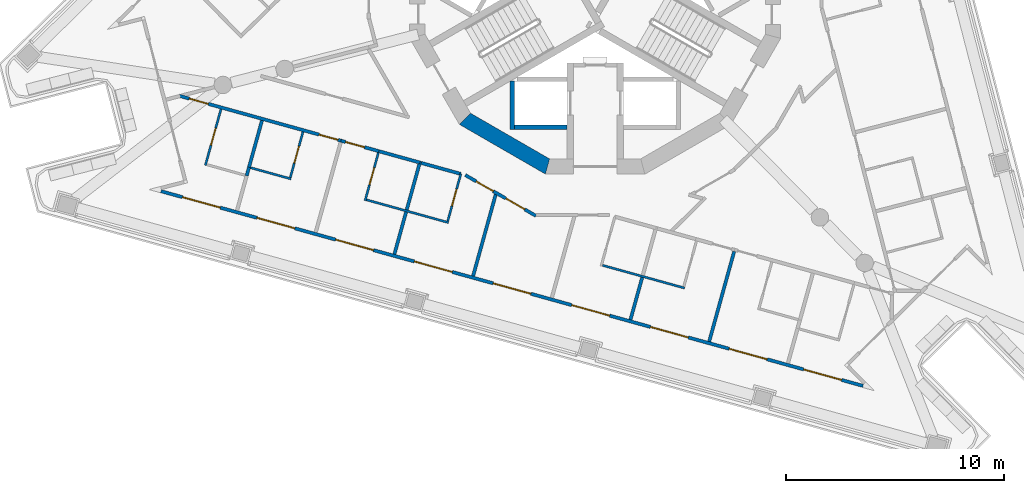
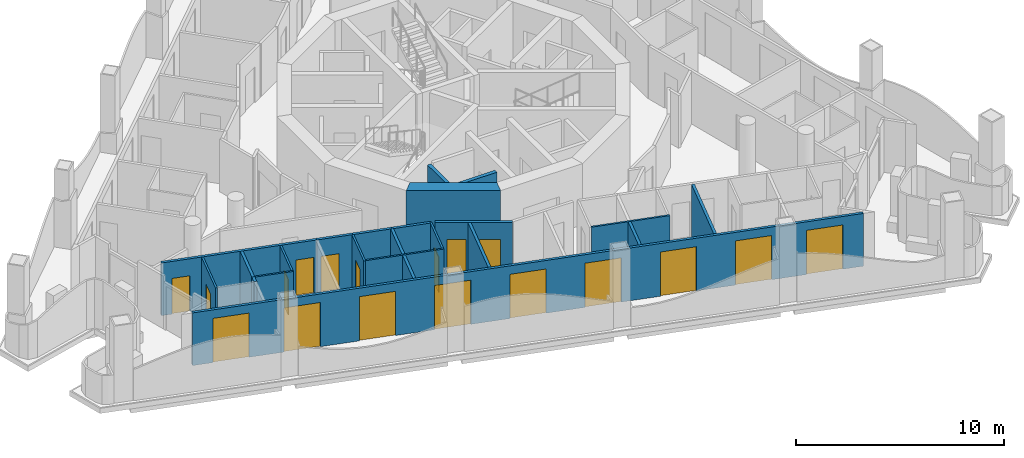
# One storey, part 2 of 15: 23 walls, 18 doors, 18 openings.
"""IFC4 building model written with IfcOpenShell, lengths in metres."""

from ifc_helpers import new_model, si_unit, direction, frame, frame_2d, origin, place, context, subcontext, project, spatial, polyline, rectangle, outline, extrude, material, layer, layer_set, type_object, element, fill, save


model = new_model("IFC4")

# Units and contexts
model_context = context("Model", 3, precision=1e-05, world=origin(), true_north=direction((0.0, 1.0)))
body_context = subcontext(model_context, "Body", "Model", "MODEL_VIEW")
ifc_project = project(units=[si_unit("LENGTHUNIT", "METRE"), si_unit("AREAUNIT", "SQUARE_METRE"), si_unit("VOLUMEUNIT", "CUBIC_METRE"), si_unit("PLANEANGLEUNIT", "RADIAN"), si_unit("MASSUNIT", "GRAM", prefix="KILO")], contexts=[model_context])

# Site, building, storey
site_placement = place(None, origin())
site = spatial("IfcSite", under=ifc_project, at=site_placement, CompositionType="ELEMENT")
building_placement = place(site_placement, origin())
building = spatial("IfcBuilding", under=site, at=building_placement, Name="Trine Commons Tower", CompositionType="ELEMENT")
storey_placement = place(building_placement, frame((0.0, 0.0, 263.699951171875)))
storey = spatial("IfcBuildingStorey", under=building, at=storey_placement, Name="L69", CompositionType="ELEMENT", Elevation=263.699951171875)

# Wall, openings, doors
ifc_material_1 = material(Name="Aluminium-framed insulated wall panel", Category="aluminium")
ifc_layer_1 = layer(ifc_material_1, 0.14990234375)
ifc_layer_set_1 = layer_set([ifc_layer_1], Name="Aluminium-framed insulated wall panel")
wall_type_1 = type_object("IfcWallType", Name="Glazed frame wall 150, EI 60", PredefinedType="SOLIDWALL", material=ifc_layer_set_1)
wall_1_placement = place(storey_placement, frame((92.4189453125, 44.2548828125, 0.0), z_axis=(0.0, 0.0, 1.0), x_axis=(-0.963630586427, 0.267237895708, 0.0)))
wall_1 = element("IfcWall", 1, at=wall_1_placement, inside=storey, type_object=wall_type_1, Name="Glazed frame wall F3", PredefinedType="SOLIDWALL", context=body_context, shape_type="SweptSolid", body=[
    extrude(outline(polyline([(0.1494140625, 0.074951171875), (0.1494140625, -0.074951171875), (33.536865234375, -0.074951171875), (33.536865234375, 0.074951171875), (0.1494140625, 0.074951171875)])), origin(), (0.0, 0.0, 1.0), 3.10009765625),
])
opening_1_placement = place(wall_1_placement, frame((1.17138671875, 0.0, 0.0)))
opening_1 = element("IfcOpeningElement", 2, at=opening_1_placement, cuts=wall_1, Name="Opening BD-7F3-01", PredefinedType="OPENING", context=body_context, shape_type="SweptSolid", body=[
    extrude(rectangle(XDim=1.800048828125, YDim=2.60009765625, at=frame_2d((0.89990234375, 1.300048828125))), frame((0.0, 0.0849609375, 0.0), z_axis=(0.0, -1.0, 0.0), x_axis=(1.0, 0.0, 0.0)), (0.0, 0.0, 1.0), 0.169921875),
])
opening_2_placement = place(wall_1_placement, frame((4.71435546875, 0.0, 0.0)))
opening_2 = element("IfcOpeningElement", 3, at=opening_2_placement, cuts=wall_1, Name="Opening BD-7F3-02", PredefinedType="OPENING", context=body_context, shape_type="SweptSolid", body=[
    extrude(rectangle(XDim=1.800048828125, YDim=2.60009765625, at=frame_2d((0.89990234375, 1.300048828125))), frame((0.0, 0.0849609375, 0.0), z_axis=(0.0, -1.0, 0.0), x_axis=(1.0, 0.0, 0.0)), (0.0, 0.0, 1.0), 0.169921875),
])
opening_3_placement = place(wall_1_placement, frame((8.457275390625, 0.0, 0.0)))
opening_3 = element("IfcOpeningElement", 4, at=opening_3_placement, cuts=wall_1, Name="Opening BD-7F3-03", PredefinedType="OPENING", context=body_context, shape_type="SweptSolid", body=[
    extrude(rectangle(XDim=1.800048828125, YDim=2.60009765625, at=frame_2d((0.89990234375, 1.300048828125))), frame((0.0, 0.0849609375, 0.0), z_axis=(0.0, -1.0, 0.0), x_axis=(1.0, 0.0, 0.0)), (0.0, 0.0, 1.0), 0.169921875),
])
opening_4_placement = place(wall_1_placement, frame((12.2001953125, 0.0, 0.0)))
opening_4 = element("IfcOpeningElement", 5, at=opening_4_placement, cuts=wall_1, Name="Opening BD-7F3-04", PredefinedType="OPENING", context=body_context, shape_type="SweptSolid", body=[
    extrude(rectangle(XDim=1.800048828125, YDim=2.60009765625, at=frame_2d((0.89990234375, 1.300048828125))), frame((0.0, 0.0849609375, 0.0), z_axis=(0.0, -1.0, 0.0), x_axis=(1.0, 0.0, 0.0)), (0.0, 0.0, 1.0), 0.169921875),
])
opening_5_placement = place(wall_1_placement, frame((15.943115234375, 0.0, 0.0)))
opening_5 = element("IfcOpeningElement", 6, at=opening_5_placement, cuts=wall_1, Name="Opening BD-7F3-05", PredefinedType="OPENING", context=body_context, shape_type="SweptSolid", body=[
    extrude(rectangle(XDim=1.800048828125, YDim=2.60009765625, at=frame_2d((0.89990234375, 1.300048828125))), frame((0.0, 0.0849609375, 0.0), z_axis=(0.0, -1.0, 0.0), x_axis=(1.0, 0.0, 0.0)), (0.0, 0.0, 1.0), 0.169921875),
])
opening_6_placement = place(wall_1_placement, frame((19.68603515625, 0.0, 0.0)))
opening_6 = element("IfcOpeningElement", 7, at=opening_6_placement, cuts=wall_1, Name="Opening BD-7F3-06", PredefinedType="OPENING", context=body_context, shape_type="SweptSolid", body=[
    extrude(rectangle(XDim=1.800048828125, YDim=2.60009765625, at=frame_2d((0.89990234375, 1.300048828125))), frame((0.0, 0.0849609375, 0.0), z_axis=(0.0, -1.0, 0.0), x_axis=(1.0, 0.0, 0.0)), (0.0, 0.0, 1.0), 0.169921875),
])
opening_7_placement = place(wall_1_placement, frame((23.428955078125, 0.0, 0.0)))
opening_7 = element("IfcOpeningElement", 8, at=opening_7_placement, cuts=wall_1, Name="Opening BD-7F3-07", PredefinedType="OPENING", context=body_context, shape_type="SweptSolid", body=[
    extrude(rectangle(XDim=1.800048828125, YDim=2.60009765625, at=frame_2d((0.89990234375, 1.300048828125))), frame((0.0, 0.0849609375, 0.0), z_axis=(0.0, -1.0, 0.0), x_axis=(1.0, 0.0, 0.0)), (0.0, 0.0, 1.0), 0.169921875),
])
opening_8_placement = place(wall_1_placement, frame((27.171875, 0.0, 0.0)))
opening_8 = element("IfcOpeningElement", 9, at=opening_8_placement, cuts=wall_1, Name="Opening BD-7F3-08", PredefinedType="OPENING", context=body_context, shape_type="SweptSolid", body=[
    extrude(rectangle(XDim=1.800048828125, YDim=2.60009765625, at=frame_2d((0.89990234375, 1.300048828125))), frame((0.0, 0.0849609375, 0.0), z_axis=(0.0, -1.0, 0.0), x_axis=(1.0, 0.0, 0.0)), (0.0, 0.0, 1.0), 0.169921875),
])
opening_9_placement = place(wall_1_placement, frame((30.714599609375, 0.0, 0.0)))
opening_9 = element("IfcOpeningElement", 10, at=opening_9_placement, cuts=wall_1, Name="Opening BD-7F3-09", PredefinedType="OPENING", context=body_context, shape_type="SweptSolid", body=[
    extrude(rectangle(XDim=1.800048828125, YDim=2.60009765625, at=frame_2d((0.89990234375, 1.300048828125))), frame((0.0, 0.0849609375, 0.0), z_axis=(0.0, -1.0, 0.0), x_axis=(1.0, 0.0, 0.0)), (0.0, 0.0, 1.0), 0.169921875),
])
ifc_material_2 = material(Name="Anodised aluminium frame with double glazing", Category="aluminium")
door_type_1 = type_object("IfcDoorType", Name="Sliding loggia door 1800x2600", OperationType="SLIDING_TO_LEFT", PredefinedType="DOOR", material=ifc_material_2)
door_1_placement = place(opening_1_placement, origin())
door_1 = element("IfcDoor", 11, at=door_1_placement, inside=storey, type_object=door_type_1, Name="Loggia door F3 1", OperationType="SLIDING_TO_LEFT", OverallHeight=2.60009765625, OverallWidth=1.800048828125, PredefinedType="DOOR", context=body_context, shape_type="SweptSolid", body=[
    extrude(rectangle(XDim=1.800048828125, YDim=2.60009765625, at=frame_2d((0.89990234375, 1.300048828125))), frame((0.0, 0.02490234375, 0.0), z_axis=(0.0, -1.0, 0.0), x_axis=(1.0, 0.0, 0.0)), (0.0, 0.0, 1.0), 0.050048828125),
])
fill(opening_1, door_1)
door_2_placement = place(opening_2_placement, origin())
door_2 = element("IfcDoor", 12, at=door_2_placement, inside=storey, type_object=door_type_1, Name="Loggia door F3 2", OperationType="SLIDING_TO_LEFT", OverallHeight=2.60009765625, OverallWidth=1.800048828125, PredefinedType="DOOR", context=body_context, shape_type="SweptSolid", body=[
    extrude(rectangle(XDim=1.800048828125, YDim=2.60009765625, at=frame_2d((0.89990234375, 1.300048828125))), frame((0.0, 0.02490234375, 0.0), z_axis=(0.0, -1.0, 0.0), x_axis=(1.0, 0.0, 0.0)), (0.0, 0.0, 1.0), 0.050048828125),
])
fill(opening_2, door_2)
door_3_placement = place(opening_3_placement, origin())
door_3 = element("IfcDoor", 13, at=door_3_placement, inside=storey, type_object=door_type_1, Name="Loggia door F3 3", OperationType="SLIDING_TO_LEFT", OverallHeight=2.60009765625, OverallWidth=1.800048828125, PredefinedType="DOOR", context=body_context, shape_type="SweptSolid", body=[
    extrude(rectangle(XDim=1.800048828125, YDim=2.60009765625, at=frame_2d((0.89990234375, 1.300048828125))), frame((0.0, 0.02490234375, 0.0), z_axis=(0.0, -1.0, 0.0), x_axis=(1.0, 0.0, 0.0)), (0.0, 0.0, 1.0), 0.050048828125),
])
fill(opening_3, door_3)
door_4_placement = place(opening_4_placement, origin())
door_4 = element("IfcDoor", 14, at=door_4_placement, inside=storey, type_object=door_type_1, Name="Loggia door F3 4", OperationType="SLIDING_TO_LEFT", OverallHeight=2.60009765625, OverallWidth=1.800048828125, PredefinedType="DOOR", context=body_context, shape_type="SweptSolid", body=[
    extrude(rectangle(XDim=1.800048828125, YDim=2.60009765625, at=frame_2d((0.89990234375, 1.300048828125))), frame((0.0, 0.02490234375, 0.0), z_axis=(0.0, -1.0, 0.0), x_axis=(1.0, 0.0, 0.0)), (0.0, 0.0, 1.0), 0.050048828125),
])
fill(opening_4, door_4)
door_5_placement = place(opening_5_placement, origin())
door_5 = element("IfcDoor", 15, at=door_5_placement, inside=storey, type_object=door_type_1, Name="Loggia door F3 5", OperationType="SLIDING_TO_LEFT", OverallHeight=2.60009765625, OverallWidth=1.800048828125, PredefinedType="DOOR", context=body_context, shape_type="SweptSolid", body=[
    extrude(rectangle(XDim=1.800048828125, YDim=2.60009765625, at=frame_2d((0.89990234375, 1.300048828125))), frame((0.0, 0.02490234375, 0.0), z_axis=(0.0, -1.0, 0.0), x_axis=(1.0, 0.0, 0.0)), (0.0, 0.0, 1.0), 0.050048828125),
])
fill(opening_5, door_5)
door_6_placement = place(opening_6_placement, origin())
door_6 = element("IfcDoor", 16, at=door_6_placement, inside=storey, type_object=door_type_1, Name="Loggia door F3 6", OperationType="SLIDING_TO_LEFT", OverallHeight=2.60009765625, OverallWidth=1.800048828125, PredefinedType="DOOR", context=body_context, shape_type="SweptSolid", body=[
    extrude(rectangle(XDim=1.800048828125, YDim=2.60009765625, at=frame_2d((0.89990234375, 1.300048828125))), frame((0.0, 0.02490234375, 0.0), z_axis=(0.0, -1.0, 0.0), x_axis=(1.0, 0.0, 0.0)), (0.0, 0.0, 1.0), 0.050048828125),
])
fill(opening_6, door_6)
door_7_placement = place(opening_7_placement, origin())
door_7 = element("IfcDoor", 17, at=door_7_placement, inside=storey, type_object=door_type_1, Name="Loggia door F3 7", OperationType="SLIDING_TO_LEFT", OverallHeight=2.60009765625, OverallWidth=1.800048828125, PredefinedType="DOOR", context=body_context, shape_type="SweptSolid", body=[
    extrude(rectangle(XDim=1.800048828125, YDim=2.60009765625, at=frame_2d((0.89990234375, 1.300048828125))), frame((0.0, 0.02490234375, 0.0), z_axis=(0.0, -1.0, 0.0), x_axis=(1.0, 0.0, 0.0)), (0.0, 0.0, 1.0), 0.050048828125),
])
fill(opening_7, door_7)
door_8_placement = place(opening_8_placement, origin())
door_8 = element("IfcDoor", 18, at=door_8_placement, inside=storey, type_object=door_type_1, Name="Loggia door F3 8", OperationType="SLIDING_TO_LEFT", OverallHeight=2.60009765625, OverallWidth=1.800048828125, PredefinedType="DOOR", context=body_context, shape_type="SweptSolid", body=[
    extrude(rectangle(XDim=1.800048828125, YDim=2.60009765625, at=frame_2d((0.89990234375, 1.300048828125))), frame((0.0, 0.02490234375, 0.0), z_axis=(0.0, -1.0, 0.0), x_axis=(1.0, 0.0, 0.0)), (0.0, 0.0, 1.0), 0.050048828125),
])
fill(opening_8, door_8)
door_9_placement = place(opening_9_placement, origin())
door_9 = element("IfcDoor", 19, at=door_9_placement, inside=storey, type_object=door_type_1, Name="Loggia door F3 9", OperationType="SLIDING_TO_LEFT", OverallHeight=2.60009765625, OverallWidth=1.800048828125, PredefinedType="DOOR", context=body_context, shape_type="SweptSolid", body=[
    extrude(rectangle(XDim=1.800048828125, YDim=2.60009765625, at=frame_2d((0.89990234375, 1.300048828125))), frame((0.0, 0.02490234375, 0.0), z_axis=(0.0, -1.0, 0.0), x_axis=(1.0, 0.0, 0.0)), (0.0, 0.0, 1.0), 0.050048828125),
])
fill(opening_9, door_9)

# Walls
ifc_material_3 = material(Name="Concrete C50/60", Category="concrete")
ifc_layer_2 = layer(ifc_material_3, 0.699951171875)
ifc_layer_set_2 = layer_set([ifc_layer_2], Name="Concrete C50/60")
wall_type_2 = type_object("IfcWallType", Name="RC shear wall 700 mm, C50/60", PredefinedType="SHEAR", material=ifc_layer_set_2)
wall_2_placement = place(storey_placement, frame((73.952392578125, 56.58056640625, 0.0), z_axis=(0.0, 0.0, 1.0), x_axis=(0.866034756103, -0.499983800959, 0.0)))
element("IfcWall", 20, at=wall_2_placement, inside=storey, type_object=wall_type_2, Name="Core wall CWG-09 L69", PredefinedType="SHEAR", context=body_context, shape_type="SweptSolid", body=[
    extrude(outline(polyline([(0.0, -0.35009765625), (4.55517578125, -0.35009765625), (4.36767578125, 0.35009765625), (0.1875, 0.35009765625), (0.0, -0.35009765625)])), origin(), (0.0, 0.0, 1.0), 3.60009765625),
])
ifc_material_4 = material(Name="Fire-rated gypsum shaft wall system")
ifc_layer_3 = layer(ifc_material_4, 0.199951171875)
ifc_layer_set_3 = layer_set([ifc_layer_3], Name="Fire-rated gypsum shaft wall system")
wall_type_3 = type_object("IfcWallType", Name="Shaft wall 200 mm, EI 120", PredefinedType="PARTITIONING", material=ifc_layer_set_3)
wall_3_placement = place(storey_placement, frame((76.199951171875, 58.257080078125, 0.0), z_axis=(0.0, 0.0, 1.0), x_axis=(0.0, -1.0, 0.0)))
element("IfcWall", 21, at=wall_3_placement, inside=storey, type_object=wall_type_3, Name="Shaft wall L69", PredefinedType="PARTITIONING", context=body_context, shape_type="SweptSolid", body=[
    extrude(rectangle(XDim=2.20703125, YDim=0.199951171875, at=frame_2d((1.103515625, 0.0))), origin(), (0.0, 0.0, 1.0), 3.10009765625),
])
wall_4_placement = place(storey_placement, frame((78.699951171875, 56.14990234375, 0.0), z_axis=(0.0, 0.0, 1.0), x_axis=(-1.0, 0.0, 0.0)))
element("IfcWall", 22, at=wall_4_placement, inside=storey, type_object=wall_type_3, Name="Shaft wall L69", PredefinedType="PARTITIONING", context=body_context, shape_type="SweptSolid", body=[
    extrude(rectangle(XDim=2.39990234375, YDim=0.199951171875, at=frame_2d((1.199951171875, 0.0))), origin(), (0.0, 0.0, 1.0), 3.10009765625),
])

# Wall, openings, doors
ifc_material_5 = material(Name="Gypsum plasterboard on steel stud", Category="steel")
ifc_layer_4 = layer(ifc_material_5, 0.14990234375)
ifc_layer_set_4 = layer_set([ifc_layer_4], Name="Gypsum plasterboard on steel stud")
wall_type_4 = type_object("IfcWallType", Name="Unit and corridor wall 150 mm, EI 60", PredefinedType="PARTITIONING", material=ifc_layer_set_4)
wall_5_placement = place(storey_placement, frame((60.898681640625, 57.59912109375, 0.0), z_axis=(0.0, 0.0, 1.0), x_axis=(0.963644845576, -0.267186473449, 0.0)))
wall_5 = element("IfcWall", 23, at=wall_5_placement, inside=storey, type_object=wall_type_4, Name="Partition 003", PredefinedType="PARTITIONING", context=body_context, shape_type="SweptSolid", body=[
    extrude(rectangle(XDim=7.81884765625, YDim=0.14990234375, at=frame_2d((3.909423828125, 0.0))), origin(), (0.0, 0.0, 1.0), 3.10009765625),
])
opening_10_placement = place(wall_5_placement, frame((6.68994140625, 0.0, 0.0)))
opening_10 = element("IfcOpeningElement", 24, at=opening_10_placement, cuts=wall_5, Name="Opening D-7C25", PredefinedType="OPENING", context=body_context, shape_type="SweptSolid", body=[
    extrude(rectangle(XDim=0.89990234375, YDim=2.10009765625, at=frame_2d((0.449951171875, 1.050048828125))), frame((0.0, 0.0849609375, 0.0), z_axis=(0.0, -1.0, 0.0), x_axis=(1.0, 0.0, 0.0)), (0.0, 0.0, 1.0), 0.169921875),
])
opening_11_placement = place(wall_5_placement, frame((0.52294921875, 0.0, 0.0)))
opening_11 = element("IfcOpeningElement", 25, at=opening_11_placement, cuts=wall_5, Name="Opening D-7C26", PredefinedType="OPENING", context=body_context, shape_type="SweptSolid", body=[
    extrude(rectangle(XDim=0.89990234375, YDim=2.10009765625, at=frame_2d((0.449951171875, 1.050048828125))), frame((0.0, 0.0849609375, 0.0), z_axis=(0.0, -1.0, 0.0), x_axis=(1.0, 0.0, 0.0)), (0.0, 0.0, 1.0), 0.169921875),
])
ifc_material_6 = material(Name="Timber fire door set", Category="wood")
door_type_2 = type_object("IfcDoorType", Name="Bedroom door 900 x 2100, FD30S", OperationType="NOTDEFINED", PredefinedType="DOOR", material=ifc_material_6)
door_10_placement = place(opening_10_placement, frame((0.89990234375, 0.0, 0.0), z_axis=(0.0, 0.0, 1.0), x_axis=(-1.0, 0.0, 0.0)))
door_10 = element("IfcDoor", 26, at=door_10_placement, inside=storey, type_object=door_type_2, Name="Door D-7C25", OperationType="SINGLE_SWING_LEFT", OverallHeight=2.10009765625, OverallWidth=0.89990234375, PredefinedType="DOOR", context=body_context, shape_type="SweptSolid", body=[
    extrude(rectangle(XDim=0.89990234375, YDim=2.10009765625, at=frame_2d((0.449951171875, 1.050048828125))), frame((0.0, 0.02490234375, 0.0), z_axis=(0.0, -1.0, 0.0), x_axis=(1.0, 0.0, 0.0)), (0.0, 0.0, 1.0), 0.050048828125),
])
fill(opening_10, door_10)
door_11_placement = place(opening_11_placement, frame((0.89990234375, 0.0, 0.0), z_axis=(0.0, 0.0, 1.0), x_axis=(-1.0, 0.0, 0.0)))
door_11 = element("IfcDoor", 27, at=door_11_placement, inside=storey, type_object=door_type_2, Name="Door D-7C26", OperationType="SINGLE_SWING_RIGHT", OverallHeight=2.10009765625, OverallWidth=0.89990234375, PredefinedType="DOOR", context=body_context, shape_type="SweptSolid", body=[
    extrude(rectangle(XDim=0.89990234375, YDim=2.10009765625, at=frame_2d((0.449951171875, 1.050048828125))), frame((0.0, 0.02490234375, 0.0), z_axis=(0.0, -1.0, 0.0), x_axis=(1.0, 0.0, 0.0)), (0.0, 0.0, 1.0), 0.050048828125),
])
fill(opening_11, door_11)

# Walls
wall_6_placement = place(storey_placement, frame((64.027099609375, 53.925048828125, 0.0), z_axis=(0.0, 0.0, 1.0), x_axis=(0.267363070761, 0.963595863624, 0.0)))
element("IfcWall", 28, at=wall_6_placement, inside=storey, type_object=wall_type_4, Name="Partition 012", PredefinedType="PARTITIONING", context=body_context, shape_type="SweptSolid", body=[
    extrude(rectangle(XDim=0.403564453125, YDim=0.14990234375, at=frame_2d((0.20166015625, 0.0))), origin(), (0.0, 0.0, 1.0), 3.10009765625),
])
wall_7_placement = place(storey_placement, frame((64.135009765625, 54.31396484375, 0.0), z_axis=(0.0, 0.0, 1.0), x_axis=(0.267310068827, 0.963610568178, 0.0)))
element("IfcWall", 29, at=wall_7_placement, inside=storey, type_object=wall_type_4, Name="Partition 013", PredefinedType="PARTITIONING", context=body_context, shape_type="SweptSolid", body=[
    extrude(rectangle(XDim=2.225830078125, YDim=0.14990234375, at=frame_2d((1.11279296875, 0.0))), origin(), (0.0, 0.0, 1.0), 3.10009765625),
])

# Wall, opening, door
wall_8_placement = place(storey_placement, frame((68.35302734375, 55.531005859375, 0.0), z_axis=(0.0, 0.0, 1.0), x_axis=(0.963793322965, -0.266650390226, 0.0)))
wall_8 = element("IfcWall", 30, at=wall_8_placement, inside=storey, type_object=wall_type_4, Name="Partition 021", PredefinedType="PARTITIONING", context=body_context, shape_type="SweptSolid", body=[
    extrude(rectangle(XDim=1.800048828125, YDim=0.14990234375, at=frame_2d((0.89990234375, 0.0))), origin(), (0.0, 0.0, 1.0), 3.10009765625),
])
opening_12_placement = place(wall_8_placement, frame((0.21337890625, 0.0, 0.0)))
opening_12 = element("IfcOpeningElement", 31, at=opening_12_placement, cuts=wall_8, Name="Opening D-7C24", PredefinedType="OPENING", context=body_context, shape_type="SweptSolid", body=[
    extrude(rectangle(XDim=0.89990234375, YDim=2.10009765625, at=frame_2d((0.449951171875, 1.050048828125))), frame((0.0, 0.0849609375, 0.0), z_axis=(0.0, -1.0, 0.0), x_axis=(1.0, 0.0, 0.0)), (0.0, 0.0, 1.0), 0.169921875),
])
door_12_placement = place(opening_12_placement, frame((0.89990234375, 0.0, 0.0), z_axis=(0.0, 0.0, 1.0), x_axis=(-1.0, 0.0, 0.0)))
door_12 = element("IfcDoor", 32, at=door_12_placement, inside=storey, type_object=door_type_2, Name="Door D-7C24", OperationType="SINGLE_SWING_RIGHT", OverallHeight=2.10009765625, OverallWidth=0.89990234375, PredefinedType="DOOR", context=body_context, shape_type="SweptSolid", body=[
    extrude(rectangle(XDim=0.89990234375, YDim=2.10009765625, at=frame_2d((0.449951171875, 1.050048828125))), frame((0.0, 0.02490234375, 0.0), z_axis=(0.0, -1.0, 0.0), x_axis=(1.0, 0.0, 0.0)), (0.0, 0.0, 1.0), 0.050048828125),
])
fill(opening_12, door_12)

# Walls
wall_9_placement = place(storey_placement, frame((70.03173828125, 55.065185546875, 0.0), z_axis=(0.0, 0.0, 1.0), x_axis=(0.963738676237, -0.266847829154, 0.0)))
element("IfcWall", 33, at=wall_9_placement, inside=storey, type_object=wall_type_4, Name="Partition 034", PredefinedType="PARTITIONING", context=body_context, shape_type="SweptSolid", body=[
    extrude(rectangle(XDim=2.009033203125, YDim=0.14990234375, at=frame_2d((1.00439453125, 0.0))), origin(), (0.0, 0.0, 1.0), 3.10009765625),
])
wall_10_placement = place(storey_placement, frame((70.798583984375, 50.32861328125, 0.0), z_axis=(0.0, 0.0, 1.0), x_axis=(0.267174067725, 0.963648285182, 0.0)))
element("IfcWall", 34, at=wall_10_placement, inside=storey, type_object=wall_type_4, Name="Partition 036", PredefinedType="PARTITIONING", context=body_context, shape_type="SweptSolid", body=[
    extrude(rectangle(XDim=2.01025390625, YDim=0.14990234375, at=frame_2d((1.005126953125, 0.0))), origin(), (0.0, 0.0, 1.0), 3.10009765625),
])
wall_11_placement = place(storey_placement, frame((71.3623046875, 52.3623046875, 0.0), z_axis=(0.0, 0.0, 1.0), x_axis=(0.267486781111, 0.963561529914, 0.0)))
element("IfcWall", 35, at=wall_11_placement, inside=storey, type_object=wall_type_4, Name="Partition 038", PredefinedType="PARTITIONING", context=body_context, shape_type="SweptSolid", body=[
    extrude(rectangle(XDim=2.32470703125, YDim=0.14990234375, at=frame_2d((1.162353515625, 0.0))), origin(), (0.0, 0.0, 1.0), 3.10009765625),
])
wall_12_placement = place(storey_placement, frame((72.0322265625, 54.510986328125, 0.0), z_axis=(0.0, 0.0, 1.0), x_axis=(0.963675623127, -0.267075445129, 0.0)))
element("IfcWall", 36, at=wall_12_placement, inside=storey, type_object=wall_type_4, Name="Partition 041", PredefinedType="PARTITIONING", context=body_context, shape_type="SweptSolid", body=[
    extrude(rectangle(XDim=1.883056640625, YDim=0.14990234375, at=frame_2d((0.94140625, 0.0))), origin(), (0.0, 0.0, 1.0), 3.10009765625),
])

# Wall, openings, doors
wall_13_placement = place(storey_placement, frame((74.049072265625, 53.9560546875, 0.0), z_axis=(0.0, 0.0, 1.0), x_axis=(0.865974487503, -0.500088179218, 0.0)))
wall_13 = element("IfcWall", 37, at=wall_13_placement, inside=storey, type_object=wall_type_4, Name="Partition 045", PredefinedType="PARTITIONING", context=body_context, shape_type="SweptSolid", body=[
    extrude(rectangle(XDim=3.736572265625, YDim=0.14990234375, at=frame_2d((1.8681640625, 0.0))), origin(), (0.0, 0.0, 1.0), 3.10009765625),
])
opening_13_placement = place(wall_13_placement, frame((2.146728515625, 0.0, 0.0)))
opening_13 = element("IfcOpeningElement", 38, at=opening_13_placement, cuts=wall_13, Name="Opening D-7C22", PredefinedType="OPENING", context=body_context, shape_type="SweptSolid", body=[
    extrude(rectangle(XDim=1.0, YDim=2.10009765625, at=frame_2d((0.5, 1.050048828125))), frame((0.0, 0.0849609375, 0.0), z_axis=(0.0, -1.0, 0.0), x_axis=(1.0, 0.0, 0.0)), (0.0, 0.0, 1.0), 0.169921875),
])
opening_14_placement = place(wall_13_placement, frame((0.581787109375, 0.0, 0.0)))
opening_14 = element("IfcOpeningElement", 39, at=opening_14_placement, cuts=wall_13, Name="Opening D-7C23", PredefinedType="OPENING", context=body_context, shape_type="SweptSolid", body=[
    extrude(rectangle(XDim=0.89990234375, YDim=2.10009765625, at=frame_2d((0.449951171875, 1.050048828125))), frame((0.0, 0.0849609375, 0.0), z_axis=(0.0, -1.0, 0.0), x_axis=(1.0, 0.0, 0.0)), (0.0, 0.0, 1.0), 0.169921875),
])
door_13_placement = place(opening_14_placement, frame((0.89990234375, 0.0, 0.0), z_axis=(0.0, 0.0, 1.0), x_axis=(-1.0, 0.0, 0.0)))
door_13 = element("IfcDoor", 40, at=door_13_placement, inside=storey, type_object=door_type_2, Name="Door D-7C23", OperationType="SINGLE_SWING_RIGHT", OverallHeight=2.10009765625, OverallWidth=0.89990234375, PredefinedType="DOOR", context=body_context, shape_type="SweptSolid", body=[
    extrude(rectangle(XDim=0.89990234375, YDim=2.10009765625, at=frame_2d((0.449951171875, 1.050048828125))), frame((0.0, 0.02490234375, 0.0), z_axis=(0.0, -1.0, 0.0), x_axis=(1.0, 0.0, 0.0)), (0.0, 0.0, 1.0), 0.050048828125),
])
fill(opening_14, door_13)
ifc_material_7 = material(Name="Painted timber", Category="wood")
door_type_3 = type_object("IfcDoorType", Name="Toilet door 1000 x 2100, NOT RATED", OperationType="NOTDEFINED", PredefinedType="DOOR", material=ifc_material_7)
door_14_placement = place(opening_13_placement, frame((1.0, 0.0, 0.0), z_axis=(0.0, 0.0, 1.0), x_axis=(-1.0, 0.0, 0.0)))
door_14 = element("IfcDoor", 41, at=door_14_placement, inside=storey, type_object=door_type_3, Name="Door D-7C22", OperationType="SINGLE_SWING_LEFT", OverallHeight=2.10009765625, OverallWidth=1.0, PredefinedType="DOOR", context=body_context, shape_type="SweptSolid", body=[
    extrude(rectangle(XDim=1.0, YDim=2.10009765625, at=frame_2d((0.5, 1.050048828125))), frame((0.0, 0.02490234375, 0.0), z_axis=(0.0, -1.0, 0.0), x_axis=(1.0, 0.0, 0.0)), (0.0, 0.0, 1.0), 0.050048828125),
])
fill(opening_13, door_14)

# Walls
wall_14_placement = place(storey_placement, frame((74.40478515625, 49.32861328125, 0.0), z_axis=(0.0, 0.0, 1.0), x_axis=(0.2672836333, 0.963617901126, 0.0)))
element("IfcWall", 42, at=wall_14_placement, inside=storey, type_object=wall_type_4, Name="Partition 047", PredefinedType="PARTITIONING", context=body_context, shape_type="SweptSolid", body=[
    extrude(rectangle(XDim=3.880126953125, YDim=0.14990234375, at=frame_2d((1.93994140625, 0.0))), origin(), (0.0, 0.0, 1.0), 3.10009765625),
])
wall_15_placement = place(storey_placement, frame((81.61865234375, 47.327392578125, 0.0), z_axis=(0.0, 0.0, 1.0), x_axis=(0.267030036117, 0.963688206741, 0.0)))
element("IfcWall", 43, at=wall_15_placement, inside=storey, type_object=wall_type_4, Name="Partition 062", PredefinedType="PARTITIONING", context=body_context, shape_type="SweptSolid", body=[
    extrude(rectangle(XDim=2.010498046875, YDim=0.14990234375, at=frame_2d((1.00537109375, 0.0))), origin(), (0.0, 0.0, 1.0), 3.10009765625),
])
wall_16_placement = place(storey_placement, frame((85.2255859375, 46.327392578125, 0.0), z_axis=(0.0, 0.0, 1.0), x_axis=(0.267308876537, 0.963610898924, 0.0)))
element("IfcWall", 44, at=wall_16_placement, inside=storey, type_object=wall_type_4, Name="Partition 077", PredefinedType="PARTITIONING", context=body_context, shape_type="SweptSolid", body=[
    extrude(rectangle(XDim=4.285400390625, YDim=0.14990234375, at=frame_2d((2.142578125, 0.0))), origin(), (0.0, 0.0, 1.0), 3.10009765625),
])

# Wall, opening, door
ifc_layer_5 = layer(ifc_material_5, 0.10009765625)
ifc_layer_set_5 = layer_set([ifc_layer_5], Name="Gypsum plasterboard on steel stud")
wall_type_5 = type_object("IfcWallType", Name="Unit partition 100 mm, no rating", PredefinedType="PARTITIONING", material=ifc_layer_set_5)
wall_17_placement = place(storey_placement, frame((62.135498046875, 54.40185546875, 0.0), z_axis=(0.0, 0.0, 1.0), x_axis=(0.267384985652, 0.963589782764, 0.0)))
wall_17 = element("IfcWall", 45, at=wall_17_placement, inside=storey, type_object=wall_type_5, Name="Partition 005", PredefinedType="PARTITIONING", context=body_context, shape_type="SweptSolid", body=[
    extrude(rectangle(XDim=2.67529296875, YDim=0.10009765625, at=frame_2d((1.337646484375, 0.0))), origin(), (0.0, 0.0, 1.0), 3.10009765625),
])
opening_15_placement = place(wall_17_placement, frame((0.962646484375, 0.0, 0.0)))
opening_15 = element("IfcOpeningElement", 46, at=opening_15_placement, cuts=wall_17, Name="Opening D-7C46", PredefinedType="OPENING", context=body_context, shape_type="SweptSolid", body=[
    extrude(rectangle(XDim=0.800048828125, YDim=2.10009765625, at=frame_2d((0.39990234375, 1.050048828125))), frame((0.0, 0.06005859375, 0.0), z_axis=(0.0, -1.0, 0.0), x_axis=(1.0, 0.0, 0.0)), (0.0, 0.0, 1.0), 0.1201171875),
])
door_type_4 = type_object("IfcDoorType", Name="Internal door 800 x 2100, NOT RATED", OperationType="NOTDEFINED", PredefinedType="DOOR", material=ifc_material_7)
door_15_placement = place(opening_15_placement, origin())
door_15 = element("IfcDoor", 47, at=door_15_placement, inside=storey, type_object=door_type_4, Name="Door D-7C46", OperationType="SINGLE_SWING_RIGHT", OverallHeight=2.10009765625, OverallWidth=0.800048828125, PredefinedType="DOOR", context=body_context, shape_type="SweptSolid", body=[
    extrude(rectangle(XDim=0.800048828125, YDim=2.10009765625, at=frame_2d((0.39990234375, 1.050048828125))), frame((0.0, 0.02490234375, 0.0), z_axis=(0.0, -1.0, 0.0), x_axis=(1.0, 0.0, 0.0)), (0.0, 0.0, 1.0), 0.050048828125),
])
fill(opening_15, door_15)

# Wall
wall_18_placement = place(storey_placement, frame((64.207275390625, 54.2939453125, 0.0), z_axis=(0.0, 0.0, 1.0), x_axis=(0.963634107358, -0.26722519929, 0.0)))
element("IfcWall", 48, at=wall_18_placement, inside=storey, type_object=wall_type_5, Name="Partition 014", PredefinedType="PARTITIONING", context=body_context, shape_type="SweptSolid", body=[
    extrude(rectangle(XDim=1.925048828125, YDim=0.10009765625, at=frame_2d((0.96240234375, 0.0))), origin(), (0.0, 0.0, 1.0), 3.10009765625),
])

# Wall, opening, door
wall_19_placement = place(storey_placement, frame((66.02734375, 53.84130859375, 0.0), z_axis=(0.0, 0.0, 1.0), x_axis=(0.26741803736, 0.963580610688, 0.0)))
wall_19 = element("IfcWall", 49, at=wall_19_placement, inside=storey, type_object=wall_type_5, Name="Partition 017", PredefinedType="PARTITIONING", context=body_context, shape_type="SweptSolid", body=[
    extrude(rectangle(XDim=2.174560546875, YDim=0.10009765625, at=frame_2d((1.08740234375, 0.0))), origin(), (0.0, 0.0, 1.0), 3.10009765625),
])
opening_16_placement = place(wall_19_placement, frame((0.6875, 0.0, 0.0)))
opening_16 = element("IfcOpeningElement", 50, at=opening_16_placement, cuts=wall_19, Name="Opening D-7C45", PredefinedType="OPENING", context=body_context, shape_type="SweptSolid", body=[
    extrude(rectangle(XDim=0.800048828125, YDim=2.10009765625, at=frame_2d((0.39990234375, 1.050048828125))), frame((0.0, 0.06005859375, 0.0), z_axis=(0.0, -1.0, 0.0), x_axis=(1.0, 0.0, 0.0)), (0.0, 0.0, 1.0), 0.1201171875),
])
door_16_placement = place(opening_16_placement, frame((0.800048828125, 0.0, 0.0), z_axis=(0.0, 0.0, 1.0), x_axis=(-1.0, 0.0, 0.0)))
door_16 = element("IfcDoor", 51, at=door_16_placement, inside=storey, type_object=door_type_4, Name="Door D-7C45", OperationType="SINGLE_SWING_LEFT", OverallHeight=2.10009765625, OverallWidth=0.800048828125, PredefinedType="DOOR", context=body_context, shape_type="SweptSolid", body=[
    extrude(rectangle(XDim=0.800048828125, YDim=2.10009765625, at=frame_2d((0.39990234375, 1.050048828125))), frame((0.0, 0.02490234375, 0.0), z_axis=(0.0, -1.0, 0.0), x_axis=(1.0, 0.0, 0.0)), (0.0, 0.0, 1.0), 0.050048828125),
])
fill(opening_16, door_16)

wall_20_placement = place(storey_placement, frame((69.45654296875, 52.786865234375, 0.0), z_axis=(0.0, 0.0, 1.0), x_axis=(0.267056991967, 0.963680737092, 0.0)))
wall_20 = element("IfcWall", 52, at=wall_20_placement, inside=storey, type_object=wall_type_5, Name="Partition 028", PredefinedType="PARTITIONING", context=body_context, shape_type="SweptSolid", body=[
    extrude(rectangle(XDim=2.2744140625, YDim=0.10009765625, at=frame_2d((1.13720703125, 0.0))), origin(), (0.0, 0.0, 1.0), 3.10009765625),
])
opening_17_placement = place(wall_20_placement, frame((0.76220703125, 0.0, 0.0)))
opening_17 = element("IfcOpeningElement", 53, at=opening_17_placement, cuts=wall_20, Name="Opening D-7C44", PredefinedType="OPENING", context=body_context, shape_type="SweptSolid", body=[
    extrude(rectangle(XDim=0.800048828125, YDim=2.10009765625, at=frame_2d((0.39990234375, 1.050048828125))), frame((0.0, 0.06005859375, 0.0), z_axis=(0.0, -1.0, 0.0), x_axis=(1.0, 0.0, 0.0)), (0.0, 0.0, 1.0), 0.1201171875),
])
door_17_placement = place(opening_17_placement, origin())
door_17 = element("IfcDoor", 54, at=door_17_placement, inside=storey, type_object=door_type_4, Name="Door D-7C44", OperationType="SINGLE_SWING_RIGHT", OverallHeight=2.10009765625, OverallWidth=0.800048828125, PredefinedType="DOOR", context=body_context, shape_type="SweptSolid", body=[
    extrude(rectangle(XDim=0.800048828125, YDim=2.10009765625, at=frame_2d((0.39990234375, 1.050048828125))), frame((0.0, 0.02490234375, 0.0), z_axis=(0.0, -1.0, 0.0), x_axis=(1.0, 0.0, 0.0)), (0.0, 0.0, 1.0), 0.050048828125),
])
fill(opening_17, door_17)

# Wall
wall_21_placement = place(storey_placement, frame((69.518310546875, 52.821533203125, 0.0), z_axis=(0.0, 0.0, 1.0), x_axis=(0.963639793636, -0.267204693298, 0.0)))
element("IfcWall", 55, at=wall_21_placement, inside=storey, type_object=wall_type_5, Name="Partition 029", PredefinedType="PARTITIONING", context=body_context, shape_type="SweptSolid", body=[
    extrude(rectangle(XDim=3.899658203125, YDim=0.10009765625, at=frame_2d((1.94970703125, 0.0))), origin(), (0.0, 0.0, 1.0), 3.10009765625),
])

# Wall, opening, door
wall_22_placement = place(storey_placement, frame((73.241455078125, 51.84130859375, 0.0), z_axis=(0.0, 0.0, 1.0), x_axis=(0.267403174668, 0.963584735339, 0.0)))
wall_22 = element("IfcWall", 56, at=wall_22_placement, inside=storey, type_object=wall_type_5, Name="Partition 043", PredefinedType="PARTITIONING", context=body_context, shape_type="SweptSolid", body=[
    extrude(rectangle(XDim=2.249755859375, YDim=0.10009765625, at=frame_2d((1.125, 0.0))), origin(), (0.0, 0.0, 1.0), 3.10009765625),
])
opening_18_placement = place(wall_22_placement, frame((0.724853515625, 0.0, 0.0)))
opening_18 = element("IfcOpeningElement", 57, at=opening_18_placement, cuts=wall_22, Name="Opening D-7C43", PredefinedType="OPENING", context=body_context, shape_type="SweptSolid", body=[
    extrude(rectangle(XDim=0.800048828125, YDim=2.10009765625, at=frame_2d((0.39990234375, 1.050048828125))), frame((0.0, 0.06005859375, 0.0), z_axis=(0.0, -1.0, 0.0), x_axis=(1.0, 0.0, 0.0)), (0.0, 0.0, 1.0), 0.1201171875),
])
door_18_placement = place(opening_18_placement, frame((0.800048828125, 0.0, 0.0), z_axis=(0.0, 0.0, 1.0), x_axis=(-1.0, 0.0, 0.0)))
door_18 = element("IfcDoor", 58, at=door_18_placement, inside=storey, type_object=door_type_4, Name="Door D-7C43", OperationType="SINGLE_SWING_LEFT", OverallHeight=2.10009765625, OverallWidth=0.800048828125, PredefinedType="DOOR", context=body_context, shape_type="SweptSolid", body=[
    extrude(rectangle(XDim=0.800048828125, YDim=2.10009765625, at=frame_2d((0.39990234375, 1.050048828125))), frame((0.0, 0.02490234375, 0.0), z_axis=(0.0, -1.0, 0.0), x_axis=(1.0, 0.0, 0.0)), (0.0, 0.0, 1.0), 0.050048828125),
])
fill(opening_18, door_18)

# Wall
wall_23_placement = place(storey_placement, frame((80.338134765625, 49.820556640625, 0.0), z_axis=(0.0, 0.0, 1.0), x_axis=(0.963644263235, -0.267188573734, 0.0)))
element("IfcWall", 59, at=wall_23_placement, inside=storey, type_object=wall_type_5, Name="Partition 059", PredefinedType="PARTITIONING", context=body_context, shape_type="SweptSolid", body=[
    extrude(rectangle(XDim=3.89990234375, YDim=0.10009765625, at=frame_2d((1.949951171875, 0.0))), origin(), (0.0, 0.0, 1.0), 3.10009765625),
])

save(model, "model.ifc")
